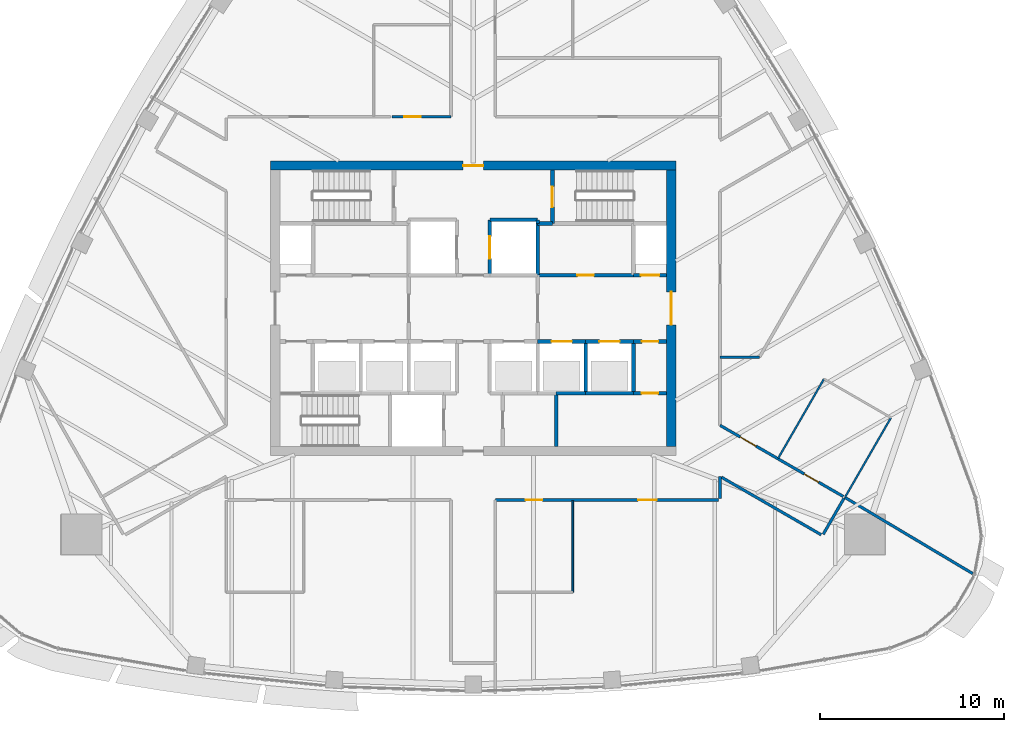
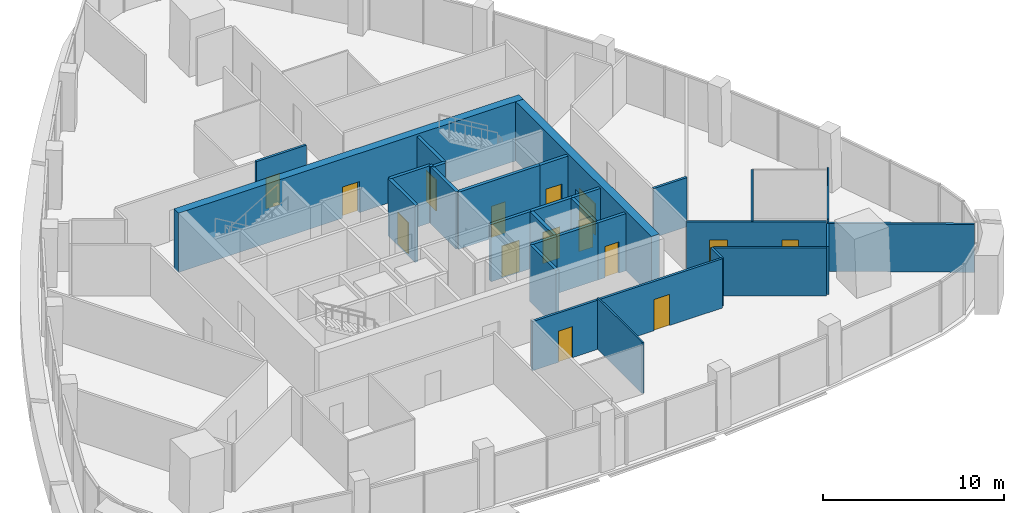
# One storey, part 10 of 15: 30 walls, 15 doors, 15 openings.
"""IFC4 building model written with IfcOpenShell, lengths in metres."""

from ifc_helpers import new_model, si_unit, direction, frame, frame_2d, origin, place, context, subcontext, project, spatial, rectangle, extrude, material, layer, layer_set, type_object, element, fill, save


model = new_model("IFC4")

# Units and contexts
model_context = context("Model", 3, precision=1e-05, world=origin(), true_north=direction((0.0, 1.0)))
body_context = subcontext(model_context, "Body", "Model", "MODEL_VIEW")
ifc_project = project(units=[si_unit("LENGTHUNIT", "METRE"), si_unit("AREAUNIT", "SQUARE_METRE"), si_unit("VOLUMEUNIT", "CUBIC_METRE"), si_unit("PLANEANGLEUNIT", "RADIAN"), si_unit("MASSUNIT", "GRAM", prefix="KILO")], contexts=[model_context])

# Site, building, storey
site_placement = place(None, origin())
site = spatial("IfcSite", under=ifc_project, at=site_placement, CompositionType="ELEMENT")
building_placement = place(site_placement, origin())
building = spatial("IfcBuilding", under=site, at=building_placement, Name="Sierra Prisma Convention Tower", CompositionType="ELEMENT")
storey_placement = place(building_placement, frame((0.0, 0.0, 267.0)))
storey = spatial("IfcBuildingStorey", under=building, at=storey_placement, Name="L60", CompositionType="ELEMENT", Elevation=267.0)

# Walls
ifc_material_1 = material(Name="Gypsum board partition", Category="gypsum")
ifc_layer_1 = layer(ifc_material_1, 0.10009765625)
ifc_layer_set_1 = layer_set([ifc_layer_1], Name="Bathroom partition 100")
wall_type_1 = type_object("IfcWallType", Name="Bathroom partition 100", PredefinedType="PARTITIONING", material=ifc_layer_set_1)
wall_1_placement = place(storey_placement, frame((5.39990234375, -10.429931640625, 0.0), z_axis=(0.0, 0.0, 1.0), x_axis=(0.0, -1.0, 0.0)))
element("IfcWall", 1, at=wall_1_placement, inside=storey, type_object=wall_type_1, Name="Partition L60 bath 6", PredefinedType="PARTITIONING", context=body_context, shape_type="SweptSolid", body=[
    extrude(rectangle(XDim=4.969970703125, YDim=0.10009765625, at=frame_2d((2.48486328125, 0.0))), origin(), (0.0, 0.0, 1.0), 3.449951171875),
])
wall_2_placement = place(storey_placement, frame((16.552001953125, -8.135986328125, 0.0), z_axis=(0.0, 0.0, 1.0), x_axis=(0.500011595943, 0.86601870876, 0.0)))
element("IfcWall", 2, at=wall_2_placement, inside=storey, type_object=wall_type_1, Name="Partition L60 bath 10", PredefinedType="PARTITIONING", context=body_context, shape_type="SweptSolid", body=[
    extrude(rectangle(XDim=4.97021484375, YDim=0.10009765625, at=frame_2d((2.485107421875, 0.0))), origin(), (0.0, 0.0, 1.0), 3.31689453125),
])
wall_3_placement = place(storey_placement, frame((22.67431640625, -5.931884765625, 0.0), z_axis=(0.0, 0.0, 1.0), x_axis=(-0.499974753747, -0.866039979225, 0.0)))
element("IfcWall", 3, at=wall_3_placement, inside=storey, type_object=wall_type_1, Name="Partition L60 bath 12", PredefinedType="PARTITIONING", context=body_context, shape_type="SweptSolid", body=[
    extrude(rectangle(XDim=4.969970703125, YDim=0.10009765625, at=frame_2d((2.48486328125, 0.0))), origin(), (0.0, 0.0, 1.0), 3.449951171875),
])
ifc_material_2 = material(Name="Concrete C30/37", Category="concrete")
ifc_layer_2 = layer(ifc_material_2, 0.199951171875)
ifc_layer_set_2 = layer_set([ifc_layer_2], Name="Core wall RC 200 C30/37")
wall_type_2 = type_object("IfcWallType", Name="Core wall RC 200 C30/37", PredefinedType="SOLIDWALL", material=ifc_layer_set_2)
wall_4_placement = place(storey_placement, frame((3.5, 4.60009765625, 0.0), z_axis=(0.0, 0.0, 1.0), x_axis=(0.0, 1.0, 0.0)))
element("IfcWall", 4, at=wall_4_placement, inside=storey, type_object=wall_type_2, Name="Core wall L60 36", PredefinedType="SOLIDWALL", context=body_context, shape_type="SweptSolid", body=[
    extrude(rectangle(XDim=0.199951171875, YDim=0.199951171875, at=frame_2d((0.10009765625, 0.0))), origin(), (0.0, 0.0, 1.0), 3.85009765625),
])
wall_5_placement = place(storey_placement, frame((3.5, 4.800048828125, 0.0), z_axis=(0.0, 0.0, 1.0), x_axis=(-1.0, 0.0, 0.0)))
element("IfcWall", 5, at=wall_5_placement, inside=storey, type_object=wall_type_2, Name="Core wall L60 37", PredefinedType="SOLIDWALL", context=body_context, shape_type="SweptSolid", body=[
    extrude(rectangle(XDim=2.60009765625, YDim=0.199951171875, at=frame_2d((1.300048828125, 0.0))), origin(), (0.0, 0.0, 1.0), 3.85009765625),
])

# Wall, opening, door
wall_6_placement = place(storey_placement, frame((0.89990234375, 4.800048828125, 0.0), z_axis=(0.0, 0.0, 1.0), x_axis=(0.0, -1.0, 0.0)))
wall_6 = element("IfcWall", 6, at=wall_6_placement, inside=storey, type_object=wall_type_2, Name="Core wall L60 38", PredefinedType="SOLIDWALL", context=body_context, shape_type="SweptSolid", body=[
    extrude(rectangle(XDim=3.0, YDim=0.199951171875, at=frame_2d((1.5, 0.0))), origin(), (0.0, 0.0, 1.0), 3.85009765625),
])
opening_1_placement = place(wall_6_placement, frame((0.89990234375, 0.0, 0.0)))
opening_1 = element("IfcOpeningElement", 7, at=opening_1_placement, cuts=wall_6, Name="Opening L60-D008", PredefinedType="OPENING", context=body_context, shape_type="SweptSolid", body=[
    extrude(rectangle(XDim=1.199951171875, YDim=2.10009765625, at=frame_2d((0.60009765625, 1.050048828125))), frame((0.0, 0.10009765625, 0.0), z_axis=(0.0, -1.0, 0.0), x_axis=(1.0, 0.0, 0.0)), (0.0, 0.0, 1.0), 0.199951171875),
])
ifc_material_3 = material(Name="Steel fire door leaf", Category="steel")
door_type_1 = type_object("IfcDoorType", Name="Door 1200x2100 EI 90 sliding lift landing", OperationType="SLIDING_TO_LEFT", PredefinedType="DOOR", material=ifc_material_3)
door_1_placement = place(opening_1_placement, origin())
door_1 = element("IfcDoor", 8, at=door_1_placement, inside=storey, type_object=door_type_1, Name="Door L60 22", OperationType="SLIDING_TO_LEFT", OverallHeight=2.10009765625, OverallWidth=1.199951171875, PredefinedType="DOOR", context=body_context, shape_type="SweptSolid", body=[
    extrude(rectangle(XDim=1.199951171875, YDim=2.10009765625, at=frame_2d((0.60009765625, 1.050048828125))), frame((0.0, 0.02490234375, 0.0), z_axis=(0.0, -1.0, 0.0), x_axis=(1.0, 0.0, 0.0)), (0.0, 0.0, 1.0), 0.050048828125),
])
fill(opening_1, door_1)

wall_7_placement = place(storey_placement, frame((3.5, -1.800048828125, 0.0), z_axis=(0.0, 0.0, 1.0), x_axis=(1.0, 0.0, 0.0)))
wall_7 = element("IfcWall", 9, at=wall_7_placement, inside=storey, type_object=wall_type_2, Name="Core wall L60 43", PredefinedType="SOLIDWALL", context=body_context, shape_type="SweptSolid", body=[
    extrude(rectangle(XDim=2.60009765625, YDim=0.199951171875, at=frame_2d((1.300048828125, 0.0))), origin(), (0.0, 0.0, 1.0), 3.85009765625),
])
opening_2_placement = place(wall_7_placement, frame((0.75, 0.0, 0.0)))
opening_2 = element("IfcOpeningElement", 10, at=opening_2_placement, cuts=wall_7, Name="Opening L60-D005", PredefinedType="OPENING", context=body_context, shape_type="SweptSolid", body=[
    extrude(rectangle(XDim=1.10009765625, YDim=2.10009765625, at=frame_2d((0.550048828125, 1.050048828125))), frame((0.0, 0.10009765625, 0.0), z_axis=(0.0, -1.0, 0.0), x_axis=(1.0, 0.0, 0.0)), (0.0, 0.0, 1.0), 0.199951171875),
])
ifc_material_4 = material(Name="Steel fire door leaf", Category="steel")
door_type_2 = type_object("IfcDoorType", Name="Door 1100x2100 EI 90 sliding lift landing", OperationType="SLIDING_TO_LEFT", PredefinedType="DOOR", material=ifc_material_4)
door_2_placement = place(opening_2_placement, origin())
door_2 = element("IfcDoor", 11, at=door_2_placement, inside=storey, type_object=door_type_2, Name="Door L60 19", OperationType="SLIDING_TO_LEFT", OverallHeight=2.10009765625, OverallWidth=1.10009765625, PredefinedType="DOOR", context=body_context, shape_type="SweptSolid", body=[
    extrude(rectangle(XDim=1.10009765625, YDim=2.10009765625, at=frame_2d((0.550048828125, 1.050048828125))), frame((0.0, 0.02490234375, 0.0), z_axis=(0.0, -1.0, 0.0), x_axis=(1.0, 0.0, 0.0)), (0.0, 0.0, 1.0), 0.050048828125),
])
fill(opening_2, door_2)

wall_8_placement = place(storey_placement, frame((3.5, 1.800048828125, 0.0), z_axis=(0.0, 0.0, 1.0), x_axis=(1.0, 0.0, 0.0)))
wall_8 = element("IfcWall", 12, at=wall_8_placement, inside=storey, type_object=wall_type_2, Name="Core wall L60 45", PredefinedType="SOLIDWALL", context=body_context, shape_type="SweptSolid", body=[
    extrude(rectangle(XDim=5.199951171875, YDim=0.199951171875, at=frame_2d((2.60009765625, 0.0))), origin(), (0.0, 0.0, 1.0), 3.85009765625),
])
opening_3_placement = place(wall_8_placement, frame((2.14990234375, 0.0, 0.0)))
opening_3 = element("IfcOpeningElement", 13, at=opening_3_placement, cuts=wall_8, Name="Opening L60-D020", PredefinedType="OPENING", context=body_context, shape_type="SweptSolid", body=[
    extrude(rectangle(XDim=0.89990234375, YDim=2.10009765625, at=frame_2d((0.449951171875, 1.050048828125))), frame((0.0, 0.10009765625, 0.0), z_axis=(0.0, -1.0, 0.0), x_axis=(1.0, 0.0, 0.0)), (0.0, 0.0, 1.0), 0.199951171875),
])
ifc_material_5 = material(Name="Steel fire door leaf", Category="steel")
door_type_3 = type_object("IfcDoorType", Name="Door 900x2100 FD30S", OperationType="SINGLE_SWING_LEFT", PredefinedType="DOOR", material=ifc_material_5)
door_3_placement = place(opening_3_placement, origin())
door_3 = element("IfcDoor", 14, at=door_3_placement, inside=storey, type_object=door_type_3, Name="Door L60 34", OperationType="SINGLE_SWING_LEFT", OverallHeight=2.10009765625, OverallWidth=0.89990234375, PredefinedType="DOOR", context=body_context, shape_type="SweptSolid", body=[
    extrude(rectangle(XDim=0.89990234375, YDim=2.10009765625, at=frame_2d((0.449951171875, 1.050048828125))), frame((0.0, 0.02490234375, 0.0), z_axis=(0.0, -1.0, 0.0), x_axis=(1.0, 0.0, 0.0)), (0.0, 0.0, 1.0), 0.050048828125),
])
fill(opening_3, door_3)

# Walls
wall_9_placement = place(storey_placement, frame((3.5, 4.60009765625, 0.0), z_axis=(0.0, 0.0, 1.0), x_axis=(0.0, -1.0, 0.0)))
element("IfcWall", 15, at=wall_9_placement, inside=storey, type_object=wall_type_2, Name="Core wall L60 46", PredefinedType="SOLIDWALL", context=body_context, shape_type="SweptSolid", body=[
    extrude(rectangle(XDim=2.800048828125, YDim=0.199951171875, at=frame_2d((1.39990234375, 0.0))), origin(), (0.0, 0.0, 1.0), 3.85009765625),
])
wall_10_placement = place(storey_placement, frame((4.300048828125, 4.60009765625, 0.0), z_axis=(0.0, 0.0, 1.0), x_axis=(-1.0, 0.0, 0.0)))
element("IfcWall", 16, at=wall_10_placement, inside=storey, type_object=wall_type_2, Name="Core wall L60 47", PredefinedType="SOLIDWALL", context=body_context, shape_type="SweptSolid", body=[
    extrude(rectangle(XDim=0.800048828125, YDim=0.199951171875, at=frame_2d((0.39990234375, 0.0))), origin(), (0.0, 0.0, 1.0), 3.85009765625),
])

# Wall, opening, door
wall_11_placement = place(storey_placement, frame((4.300048828125, 7.5, 0.0), z_axis=(0.0, 0.0, 1.0), x_axis=(0.0, -1.0, 0.0)))
wall_11 = element("IfcWall", 17, at=wall_11_placement, inside=storey, type_object=wall_type_2, Name="Core wall L60 49", PredefinedType="SOLIDWALL", context=body_context, shape_type="SweptSolid", body=[
    extrude(rectangle(XDim=2.89990234375, YDim=0.199951171875, at=frame_2d((1.449951171875, 0.0))), origin(), (0.0, 0.0, 1.0), 3.85009765625),
])
opening_4_placement = place(wall_11_placement, frame((0.89990234375, 0.0, 0.0)))
opening_4 = element("IfcOpeningElement", 18, at=opening_4_placement, cuts=wall_11, Name="Opening L60-D019", PredefinedType="OPENING", context=body_context, shape_type="SweptSolid", body=[
    extrude(rectangle(XDim=1.10009765625, YDim=2.10009765625, at=frame_2d((0.550048828125, 1.050048828125))), frame((0.0, 0.10009765625, 0.0), z_axis=(0.0, -1.0, 0.0), x_axis=(1.0, 0.0, 0.0)), (0.0, 0.0, 1.0), 0.199951171875),
])
ifc_material_6 = material(Name="Steel fire door leaf", Category="steel")
door_type_4 = type_object("IfcDoorType", Name="Door 1100x2100 FD90S", OperationType="SINGLE_SWING_LEFT", PredefinedType="DOOR", material=ifc_material_6)
door_4_placement = place(opening_4_placement, origin())
door_4 = element("IfcDoor", 19, at=door_4_placement, inside=storey, type_object=door_type_4, Name="Door L60 33", OperationType="SINGLE_SWING_RIGHT", OverallHeight=2.10009765625, OverallWidth=1.10009765625, PredefinedType="DOOR", context=body_context, shape_type="SweptSolid", body=[
    extrude(rectangle(XDim=1.10009765625, YDim=2.10009765625, at=frame_2d((0.550048828125, 1.050048828125))), frame((0.0, 0.02490234375, 0.0), z_axis=(0.0, -1.0, 0.0), x_axis=(1.0, 0.0, 0.0)), (0.0, 0.0, 1.0), 0.050048828125),
])
fill(opening_4, door_4)

# Walls
wall_12_placement = place(storey_placement, frame((4.5, -4.60009765625, 0.0), z_axis=(0.0, 0.0, 1.0), x_axis=(0.0, -1.0, 0.0)))
element("IfcWall", 20, at=wall_12_placement, inside=storey, type_object=wall_type_2, Name="Core wall L60 50", PredefinedType="SOLIDWALL", context=body_context, shape_type="SweptSolid", body=[
    extrude(rectangle(XDim=2.89990234375, YDim=0.199951171875, at=frame_2d((1.449951171875, 0.0))), origin(), (0.0, 0.0, 1.0), 3.85009765625),
])
wall_13_placement = place(storey_placement, frame((6.10009765625, -4.60009765625, 0.0), z_axis=(0.0, 0.0, 1.0), x_axis=(-1.0, 0.0, 0.0)))
element("IfcWall", 21, at=wall_13_placement, inside=storey, type_object=wall_type_2, Name="Core wall L60 51", PredefinedType="SOLIDWALL", context=body_context, shape_type="SweptSolid", body=[
    extrude(rectangle(XDim=1.60009765625, YDim=0.199951171875, at=frame_2d((0.800048828125, 0.0))), origin(), (0.0, 0.0, 1.0), 3.85009765625),
])
wall_14_placement = place(storey_placement, frame((8.699951171875, -4.60009765625, 0.0), z_axis=(0.0, 0.0, 1.0), x_axis=(-1.0, 0.0, 0.0)))
element("IfcWall", 22, at=wall_14_placement, inside=storey, type_object=wall_type_2, Name="Core wall L60 52", PredefinedType="SOLIDWALL", context=body_context, shape_type="SweptSolid", body=[
    extrude(rectangle(XDim=2.599853515625, YDim=0.199951171875, at=frame_2d((1.2998046875, 0.0))), origin(), (0.0, 0.0, 1.0), 3.85009765625),
])
wall_15_placement = place(storey_placement, frame((6.10009765625, -4.60009765625, 0.0), z_axis=(0.0, 0.0, 1.0), x_axis=(0.0, 1.0, 0.0)))
element("IfcWall", 23, at=wall_15_placement, inside=storey, type_object=wall_type_2, Name="Core wall L60 53", PredefinedType="SOLIDWALL", context=body_context, shape_type="SweptSolid", body=[
    extrude(rectangle(XDim=2.800048828125, YDim=0.199951171875, at=frame_2d((1.39990234375, 0.0))), origin(), (0.0, 0.0, 1.0), 3.85009765625),
])

# Wall, opening, door
wall_16_placement = place(storey_placement, frame((6.10009765625, -1.800048828125, 0.0), z_axis=(0.0, 0.0, 1.0), x_axis=(1.0, 0.0, 0.0)))
wall_16 = element("IfcWall", 24, at=wall_16_placement, inside=storey, type_object=wall_type_2, Name="Core wall L60 54", PredefinedType="SOLIDWALL", context=body_context, shape_type="SweptSolid", body=[
    extrude(rectangle(XDim=2.599853515625, YDim=0.199951171875, at=frame_2d((1.2998046875, 0.0))), origin(), (0.0, 0.0, 1.0), 3.85009765625),
])
opening_5_placement = place(wall_16_placement, frame((0.75, 0.0, 0.0)))
opening_5 = element("IfcOpeningElement", 25, at=opening_5_placement, cuts=wall_16, Name="Opening L60-D006", PredefinedType="OPENING", context=body_context, shape_type="SweptSolid", body=[
    extrude(rectangle(XDim=1.10009765625, YDim=2.10009765625, at=frame_2d((0.550048828125, 1.050048828125))), frame((0.0, 0.10009765625, 0.0), z_axis=(0.0, -1.0, 0.0), x_axis=(1.0, 0.0, 0.0)), (0.0, 0.0, 1.0), 0.199951171875),
])
door_5_placement = place(opening_5_placement, origin())
door_5 = element("IfcDoor", 26, at=door_5_placement, inside=storey, type_object=door_type_2, Name="Door L60 20", OperationType="SLIDING_TO_RIGHT", OverallHeight=2.10009765625, OverallWidth=1.10009765625, PredefinedType="DOOR", context=body_context, shape_type="SweptSolid", body=[
    extrude(rectangle(XDim=1.10009765625, YDim=2.10009765625, at=frame_2d((0.550048828125, 1.050048828125))), frame((0.0, 0.02490234375, 0.0), z_axis=(0.0, -1.0, 0.0), x_axis=(1.0, 0.0, 0.0)), (0.0, 0.0, 1.0), 0.050048828125),
])
fill(opening_5, door_5)

wall_17_placement = place(storey_placement, frame((10.5, -4.60009765625, 0.0), z_axis=(0.0, 0.0, 1.0), x_axis=(-1.0, 0.0, 0.0)))
wall_17 = element("IfcWall", 27, at=wall_17_placement, inside=storey, type_object=wall_type_2, Name="Core wall L60 55", PredefinedType="SOLIDWALL", context=body_context, shape_type="SweptSolid", body=[
    extrude(rectangle(XDim=1.800048828125, YDim=0.199951171875, at=frame_2d((0.89990234375, 0.0))), origin(), (0.0, 0.0, 1.0), 3.85009765625),
])
opening_6_placement = place(wall_17_placement, frame((0.4599609375, 0.0, 0.0)))
opening_6 = element("IfcOpeningElement", 28, at=opening_6_placement, cuts=wall_17, Name="Opening L60-D022", PredefinedType="OPENING", context=body_context, shape_type="SweptSolid", body=[
    extrude(rectangle(XDim=0.89990234375, YDim=2.10009765625, at=frame_2d((0.449951171875, 1.050048828125))), frame((0.0, 0.10009765625, 0.0), z_axis=(0.0, -1.0, 0.0), x_axis=(1.0, 0.0, 0.0)), (0.0, 0.0, 1.0), 0.199951171875),
])
door_6_placement = place(opening_6_placement, origin())
door_6 = element("IfcDoor", 29, at=door_6_placement, inside=storey, type_object=door_type_3, Name="Door L60 36", OperationType="SINGLE_SWING_RIGHT", OverallHeight=2.10009765625, OverallWidth=0.89990234375, PredefinedType="DOOR", context=body_context, shape_type="SweptSolid", body=[
    extrude(rectangle(XDim=0.89990234375, YDim=2.10009765625, at=frame_2d((0.449951171875, 1.050048828125))), frame((0.0, 0.02490234375, 0.0), z_axis=(0.0, -1.0, 0.0), x_axis=(1.0, 0.0, 0.0)), (0.0, 0.0, 1.0), 0.050048828125),
])
fill(opening_6, door_6)

# Wall
wall_18_placement = place(storey_placement, frame((8.699951171875, -1.800048828125, 0.0), z_axis=(0.0, 0.0, 1.0), x_axis=(0.0, -1.0, 0.0)))
element("IfcWall", 30, at=wall_18_placement, inside=storey, type_object=wall_type_2, Name="Core wall L60 56", PredefinedType="SOLIDWALL", context=body_context, shape_type="SweptSolid", body=[
    extrude(rectangle(XDim=2.800048828125, YDim=0.199951171875, at=frame_2d((1.39990234375, 0.0))), origin(), (0.0, 0.0, 1.0), 3.85009765625),
])

# Wall, opening, door
wall_19_placement = place(storey_placement, frame((8.699951171875, -1.800048828125, 0.0), z_axis=(0.0, 0.0, 1.0), x_axis=(1.0, 0.0, 0.0)))
wall_19 = element("IfcWall", 31, at=wall_19_placement, inside=storey, type_object=wall_type_2, Name="Core wall L60 57", PredefinedType="SOLIDWALL", context=body_context, shape_type="SweptSolid", body=[
    extrude(rectangle(XDim=1.800048828125, YDim=0.199951171875, at=frame_2d((0.89990234375, 0.0))), origin(), (0.0, 0.0, 1.0), 3.85009765625),
])
opening_7_placement = place(wall_19_placement, frame((0.449951171875, 0.0, 0.0)))
opening_7 = element("IfcOpeningElement", 32, at=opening_7_placement, cuts=wall_19, Name="Opening L60-D023", PredefinedType="OPENING", context=body_context, shape_type="SweptSolid", body=[
    extrude(rectangle(XDim=0.89990234375, YDim=2.10009765625, at=frame_2d((0.449951171875, 1.050048828125))), frame((0.0, 0.10009765625, 0.0), z_axis=(0.0, -1.0, 0.0), x_axis=(1.0, 0.0, 0.0)), (0.0, 0.0, 1.0), 0.199951171875),
])
door_7_placement = place(opening_7_placement, origin())
door_7 = element("IfcDoor", 33, at=door_7_placement, inside=storey, type_object=door_type_3, Name="Door L60 37", OperationType="SINGLE_SWING_LEFT", OverallHeight=2.10009765625, OverallWidth=0.89990234375, PredefinedType="DOOR", context=body_context, shape_type="SweptSolid", body=[
    extrude(rectangle(XDim=0.89990234375, YDim=2.10009765625, at=frame_2d((0.449951171875, 1.050048828125))), frame((0.0, 0.02490234375, 0.0), z_axis=(0.0, -1.0, 0.0), x_axis=(1.0, 0.0, 0.0)), (0.0, 0.0, 1.0), 0.050048828125),
])
fill(opening_7, door_7)

wall_20_placement = place(storey_placement, frame((10.5, 1.800048828125, 0.0), z_axis=(0.0, 0.0, 1.0), x_axis=(-1.0, 0.0, 0.0)))
wall_20 = element("IfcWall", 34, at=wall_20_placement, inside=storey, type_object=wall_type_2, Name="Core wall L60 58", PredefinedType="SOLIDWALL", context=body_context, shape_type="SweptSolid", body=[
    extrude(rectangle(XDim=1.800048828125, YDim=0.199951171875, at=frame_2d((0.89990234375, 0.0))), origin(), (0.0, 0.0, 1.0), 3.85009765625),
])
opening_8_placement = place(wall_20_placement, frame((0.39990234375, 0.0, 0.0)))
opening_8 = element("IfcOpeningElement", 35, at=opening_8_placement, cuts=wall_20, Name="Opening L60-D016", PredefinedType="OPENING", context=body_context, shape_type="SweptSolid", body=[
    extrude(rectangle(XDim=1.0, YDim=2.10009765625, at=frame_2d((0.5, 1.050048828125))), frame((0.0, 0.10009765625, 0.0), z_axis=(0.0, -1.0, 0.0), x_axis=(1.0, 0.0, 0.0)), (0.0, 0.0, 1.0), 0.199951171875),
])
ifc_material_7 = material(Name="Steel fire door leaf", Category="steel")
door_type_5 = type_object("IfcDoorType", Name="Door 1000x2100 FD60S", OperationType="SINGLE_SWING_LEFT", PredefinedType="DOOR", material=ifc_material_7)
door_8_placement = place(opening_8_placement, origin())
door_8 = element("IfcDoor", 36, at=door_8_placement, inside=storey, type_object=door_type_5, Name="Door L60 30", OperationType="SINGLE_SWING_RIGHT", OverallHeight=2.10009765625, OverallWidth=1.0, PredefinedType="DOOR", context=body_context, shape_type="SweptSolid", body=[
    extrude(rectangle(XDim=1.0, YDim=2.10009765625, at=frame_2d((0.5, 1.050048828125))), frame((0.0, 0.02490234375, 0.0), z_axis=(0.0, -1.0, 0.0), x_axis=(1.0, 0.0, 0.0)), (0.0, 0.0, 1.0), 0.050048828125),
])
fill(opening_8, door_8)

ifc_material_8 = material(Name="Concrete C50/60", Category="concrete")
ifc_layer_3 = layer(ifc_material_8, 0.5)
ifc_layer_set_3 = layer_set([ifc_layer_3], Name="Core wall RC 500 C50/60")
wall_type_3 = type_object("IfcWallType", Name="Core wall RC 500 C50/60", PredefinedType="SHEAR", material=ifc_layer_set_3)
wall_21_placement = place(storey_placement, frame((-11.0, 7.75, 0.0), z_axis=(0.0, 0.0, 1.0), x_axis=(1.0, 0.0, 0.0)))
wall_21 = element("IfcWall", 37, at=wall_21_placement, inside=storey, type_object=wall_type_3, Name="Core wall N L60", PredefinedType="SHEAR", context=body_context, shape_type="SweptSolid", body=[
    extrude(rectangle(XDim=22.0, YDim=0.5, at=frame_2d((11.0, 0.0))), origin(), (0.0, 0.0, 1.0), 4.0),
])
opening_9_placement = place(wall_21_placement, frame((10.449951171875, 0.0, 0.0)))
opening_9 = element("IfcOpeningElement", 38, at=opening_9_placement, cuts=wall_21, Name="Opening L60-D040", PredefinedType="OPENING", context=body_context, shape_type="SweptSolid", body=[
    extrude(rectangle(XDim=1.10009765625, YDim=2.10009765625, at=frame_2d((0.550048828125, 1.050048828125))), frame((0.0, 0.25, 0.0), z_axis=(0.0, -1.0, 0.0), x_axis=(1.0, 0.0, 0.0)), (0.0, 0.0, 1.0), 0.5),
])
ifc_material_9 = material(Name="Steel fire door leaf", Category="steel")
door_type_6 = type_object("IfcDoorType", Name="Door 1100x2100 FD60S", OperationType="SINGLE_SWING_LEFT", PredefinedType="DOOR", material=ifc_material_9)
door_9_placement = place(opening_9_placement, origin())
door_9 = element("IfcDoor", 39, at=door_9_placement, inside=storey, type_object=door_type_6, Name="Door L60 41", OperationType="SINGLE_SWING_LEFT", OverallHeight=2.10009765625, OverallWidth=1.10009765625, PredefinedType="DOOR", context=body_context, shape_type="SweptSolid", body=[
    extrude(rectangle(XDim=1.10009765625, YDim=2.10009765625, at=frame_2d((0.550048828125, 1.050048828125))), frame((0.0, 0.02490234375, 0.0), z_axis=(0.0, -1.0, 0.0), x_axis=(1.0, 0.0, 0.0)), (0.0, 0.0, 1.0), 0.050048828125),
])
fill(opening_9, door_9)

wall_22_placement = place(storey_placement, frame((10.75, -7.5, 0.0), z_axis=(0.0, 0.0, 1.0), x_axis=(0.0, 1.0, 0.0)))
wall_22 = element("IfcWall", 40, at=wall_22_placement, inside=storey, type_object=wall_type_3, Name="Core wall E L60", PredefinedType="SHEAR", context=body_context, shape_type="SweptSolid", body=[
    extrude(rectangle(XDim=15.0, YDim=0.5, at=frame_2d((7.5, 0.0))), origin(), (0.0, 0.0, 1.0), 4.0),
])
opening_10_placement = place(wall_22_placement, frame((6.60009765625, 0.0, 0.0)))
opening_10 = element("IfcOpeningElement", 41, at=opening_10_placement, cuts=wall_22, Name="Opening L60-D039", PredefinedType="OPENING", context=body_context, shape_type="SweptSolid", body=[
    extrude(rectangle(XDim=1.800048828125, YDim=2.10009765625, at=frame_2d((0.89990234375, 1.050048828125))), frame((0.0, 0.25, 0.0), z_axis=(0.0, -1.0, 0.0), x_axis=(1.0, 0.0, 0.0)), (0.0, 0.0, 1.0), 0.5),
])
ifc_material_10 = material(Name="Steel fire door leaf", Category="steel")
door_type_7 = type_object("IfcDoorType", Name="Door 1800x2100 FD60S", OperationType="DOUBLE_DOOR_SINGLE_SWING", PredefinedType="DOOR", material=ifc_material_10)
door_10_placement = place(opening_10_placement, origin())
door_10 = element("IfcDoor", 42, at=door_10_placement, inside=storey, type_object=door_type_7, Name="Door L60 40", OperationType="DOUBLE_DOOR_SINGLE_SWING", OverallHeight=2.10009765625, OverallWidth=1.800048828125, PredefinedType="DOOR", context=body_context, shape_type="SweptSolid", body=[
    extrude(rectangle(XDim=1.800048828125, YDim=2.10009765625, at=frame_2d((0.89990234375, 1.050048828125))), frame((0.0, 0.02490234375, 0.0), z_axis=(0.0, -1.0, 0.0), x_axis=(1.0, 0.0, 0.0)), (0.0, 0.0, 1.0), 0.050048828125),
])
fill(opening_10, door_10)

ifc_material_11 = material(Name="Gypsum board partition", Category="gypsum")
ifc_layer_4 = layer(ifc_material_11, 0.14990234375)
ifc_layer_set_4 = layer_set([ifc_layer_4], Name="Corridor wall 150 gypsum EI 60")
wall_type_4 = type_object("IfcWallType", Name="Corridor wall 150 gypsum EI 60", PredefinedType="PARTITIONING", material=ifc_layer_set_4)
wall_23_placement = place(storey_placement, frame((-1.199951171875, 10.39990234375, 0.0), z_axis=(0.0, 0.0, 1.0), x_axis=(-1.0, 0.0, 0.0)))
wall_23 = element("IfcWall", 43, at=wall_23_placement, inside=storey, type_object=wall_type_4, Name="Partition L60 corr 14", PredefinedType="PARTITIONING", context=body_context, shape_type="SweptSolid", body=[
    extrude(rectangle(XDim=3.199951171875, YDim=0.14990234375, at=frame_2d((1.60009765625, 0.0))), origin(), (0.0, 0.0, 1.0), 3.449951171875),
])
opening_11_placement = place(wall_23_placement, frame((1.64990234375, 0.0, 0.0)))
opening_11 = element("IfcOpeningElement", 44, at=opening_11_placement, cuts=wall_23, Name="Opening L60-D029", PredefinedType="OPENING", context=body_context, shape_type="SweptSolid", body=[
    extrude(rectangle(XDim=0.89990234375, YDim=2.10009765625, at=frame_2d((0.449951171875, 1.050048828125))), frame((0.0, 0.074951171875, 0.0), z_axis=(0.0, -1.0, 0.0), x_axis=(1.0, 0.0, 0.0)), (0.0, 0.0, 1.0), 0.14990234375),
])
door_11_placement = place(opening_11_placement, origin())
door_11 = element("IfcDoor", 45, at=door_11_placement, inside=storey, type_object=door_type_3, Name="Door L60 5", OperationType="SINGLE_SWING_LEFT", OverallHeight=2.10009765625, OverallWidth=0.89990234375, PredefinedType="DOOR", context=body_context, shape_type="SweptSolid", body=[
    extrude(rectangle(XDim=0.89990234375, YDim=2.10009765625, at=frame_2d((0.449951171875, 1.050048828125))), frame((0.0, 0.02490234375, 0.0), z_axis=(0.0, -1.0, 0.0), x_axis=(1.0, 0.0, 0.0)), (0.0, 0.0, 1.0), 0.050048828125),
])
fill(opening_11, door_11)

# Wall, openings, doors
wall_24_placement = place(storey_placement, frame((1.199951171875, -10.39990234375, 0.0), z_axis=(0.0, 0.0, 1.0), x_axis=(1.0, 0.0, 0.0)))
wall_24 = element("IfcWall", 46, at=wall_24_placement, inside=storey, type_object=wall_type_4, Name="Partition L60 corr 18", PredefinedType="PARTITIONING", context=body_context, shape_type="SweptSolid", body=[
    extrude(rectangle(XDim=12.1201171875, YDim=0.14990234375, at=frame_2d((6.06005859375, 0.0))), origin(), (0.0, 0.0, 1.0), 3.31689453125),
])
opening_12_placement = place(wall_24_placement, frame((1.64990234375, 0.0, 0.0)))
opening_12 = element("IfcOpeningElement", 47, at=opening_12_placement, cuts=wall_24, Name="Opening L60-D035", PredefinedType="OPENING", context=body_context, shape_type="SweptSolid", body=[
    extrude(rectangle(XDim=0.89990234375, YDim=2.10009765625, at=frame_2d((0.449951171875, 1.050048828125))), frame((0.0, 0.074951171875, 0.0), z_axis=(0.0, -1.0, 0.0), x_axis=(1.0, 0.0, 0.0)), (0.0, 0.0, 1.0), 0.14990234375),
])
opening_13_placement = place(wall_24_placement, frame((7.75, 0.0, 0.0)))
opening_13 = element("IfcOpeningElement", 48, at=opening_13_placement, cuts=wall_24, Name="Opening L60-D036", PredefinedType="OPENING", context=body_context, shape_type="SweptSolid", body=[
    extrude(rectangle(XDim=1.0, YDim=2.10009765625, at=frame_2d((0.5, 1.050048828125))), frame((0.0, 0.074951171875, 0.0), z_axis=(0.0, -1.0, 0.0), x_axis=(1.0, 0.0, 0.0)), (0.0, 0.0, 1.0), 0.14990234375),
])
ifc_material_12 = material(Name="Steel fire door leaf", Category="steel")
door_type_8 = type_object("IfcDoorType", Name="Door 1000x2100 FD30S", OperationType="SINGLE_SWING_LEFT", PredefinedType="DOOR", material=ifc_material_12)
door_12_placement = place(opening_13_placement, origin())
door_12 = element("IfcDoor", 49, at=door_12_placement, inside=storey, type_object=door_type_8, Name="Door L60 12", OperationType="SINGLE_SWING_RIGHT", OverallHeight=2.10009765625, OverallWidth=1.0, PredefinedType="DOOR", context=body_context, shape_type="SweptSolid", body=[
    extrude(rectangle(XDim=1.0, YDim=2.10009765625, at=frame_2d((0.5, 1.050048828125))), frame((0.0, 0.02490234375, 0.0), z_axis=(0.0, -1.0, 0.0), x_axis=(1.0, 0.0, 0.0)), (0.0, 0.0, 1.0), 0.050048828125),
])
fill(opening_13, door_12)
door_13_placement = place(opening_12_placement, origin())
door_13 = element("IfcDoor", 50, at=door_13_placement, inside=storey, type_object=door_type_3, Name="Door L60 11", OperationType="SINGLE_SWING_RIGHT", OverallHeight=2.10009765625, OverallWidth=0.89990234375, PredefinedType="DOOR", context=body_context, shape_type="SweptSolid", body=[
    extrude(rectangle(XDim=0.89990234375, YDim=2.10009765625, at=frame_2d((0.449951171875, 1.050048828125))), frame((0.0, 0.02490234375, 0.0), z_axis=(0.0, -1.0, 0.0), x_axis=(1.0, 0.0, 0.0)), (0.0, 0.0, 1.0), 0.050048828125),
])
fill(opening_12, door_13)

# Walls
wall_25_placement = place(storey_placement, frame((13.39990234375, -10.320068359375, 0.0), z_axis=(0.0, 0.0, 1.0), x_axis=(0.0, 1.0, 0.0)))
element("IfcWall", 51, at=wall_25_placement, inside=storey, type_object=wall_type_4, Name="Partition L60 corr 21", PredefinedType="PARTITIONING", context=body_context, shape_type="SweptSolid", body=[
    extrude(rectangle(XDim=1.197998046875, YDim=0.14990234375, at=frame_2d((0.59912109375, 0.0))), origin(), (0.0, 0.0, 1.0), 3.23291015625),
])
wall_26_placement = place(storey_placement, frame((13.479248046875, -9.16796875, 0.0), z_axis=(0.0, 0.0, 1.0), x_axis=(0.866026089583, -0.49999881216, 0.0)))
element("IfcWall", 52, at=wall_26_placement, inside=storey, type_object=wall_type_4, Name="Partition L60 corr 22", PredefinedType="PARTITIONING", context=body_context, shape_type="SweptSolid", body=[
    extrude(rectangle(XDim=6.2451171875, YDim=0.14990234375, at=frame_2d((3.12255859375, 0.0))), origin(), (0.0, 0.0, 1.0), 3.23291015625),
])

# Wall, openings, doors
wall_27_placement = place(storey_placement, frame((20.087890625, -10.212158203125, 0.0), z_axis=(0.0, 0.0, 1.0), x_axis=(-0.866024490366, 0.500001582084, 0.0)))
wall_27 = element("IfcWall", 53, at=wall_27_placement, inside=storey, type_object=wall_type_4, Name="Partition L60 corr 26", PredefinedType="PARTITIONING", context=body_context, shape_type="SweptSolid", body=[
    extrude(rectangle(XDim=7.72265625, YDim=0.14990234375, at=frame_2d((3.861328125, 0.0))), origin(), (0.0, 0.0, 1.0), 3.31689453125),
])
opening_14_placement = place(wall_27_placement, frame((1.550048828125, 0.0, 0.0)))
opening_14 = element("IfcOpeningElement", 54, at=opening_14_placement, cuts=wall_27, Name="Opening L60-D037", PredefinedType="OPENING", context=body_context, shape_type="SweptSolid", body=[
    extrude(rectangle(XDim=0.89990234375, YDim=2.10009765625, at=frame_2d((0.449951171875, 1.050048828125))), frame((0.0, 0.074951171875, 0.0), z_axis=(0.0, -1.0, 0.0), x_axis=(1.0, 0.0, 0.0)), (0.0, 0.0, 1.0), 0.14990234375),
])
opening_15_placement = place(wall_27_placement, frame((5.461181640625, 0.0, 0.0)))
opening_15 = element("IfcOpeningElement", 55, at=opening_15_placement, cuts=wall_27, Name="Opening L60-D038", PredefinedType="OPENING", context=body_context, shape_type="SweptSolid", body=[
    extrude(rectangle(XDim=1.0, YDim=2.10009765625, at=frame_2d((0.5, 1.050048828125))), frame((0.0, 0.074951171875, 0.0), z_axis=(0.0, -1.0, 0.0), x_axis=(1.0, 0.0, 0.0)), (0.0, 0.0, 1.0), 0.14990234375),
])
door_14_placement = place(opening_15_placement, origin())
door_14 = element("IfcDoor", 56, at=door_14_placement, inside=storey, type_object=door_type_8, Name="Door L60 14", OperationType="SINGLE_SWING_LEFT", OverallHeight=2.10009765625, OverallWidth=1.0, PredefinedType="DOOR", context=body_context, shape_type="SweptSolid", body=[
    extrude(rectangle(XDim=1.0, YDim=2.10009765625, at=frame_2d((0.5, 1.050048828125))), frame((0.0, 0.02490234375, 0.0), z_axis=(0.0, -1.0, 0.0), x_axis=(1.0, 0.0, 0.0)), (0.0, 0.0, 1.0), 0.050048828125),
])
fill(opening_15, door_14)
door_15_placement = place(opening_14_placement, origin())
door_15 = element("IfcDoor", 57, at=door_15_placement, inside=storey, type_object=door_type_3, Name="Door L60 13", OperationType="SINGLE_SWING_LEFT", OverallHeight=2.10009765625, OverallWidth=0.89990234375, PredefinedType="DOOR", context=body_context, shape_type="SweptSolid", body=[
    extrude(rectangle(XDim=0.89990234375, YDim=2.10009765625, at=frame_2d((0.449951171875, 1.050048828125))), frame((0.0, 0.02490234375, 0.0), z_axis=(0.0, -1.0, 0.0), x_axis=(1.0, 0.0, 0.0)), (0.0, 0.0, 1.0), 0.050048828125),
])
fill(opening_14, door_15)

# Walls
wall_28_placement = place(storey_placement, frame((18.9970703125, -12.26123046875, 0.0), z_axis=(0.0, 0.0, 1.0), x_axis=(0.500030632641, 0.866007717299, 0.0)))
element("IfcWall", 58, at=wall_28_placement, inside=storey, type_object=wall_type_4, Name="Partition L60 corr 29", PredefinedType="PARTITIONING", context=body_context, shape_type="SweptSolid", body=[
    extrude(rectangle(XDim=2.239990234375, YDim=0.14990234375, at=frame_2d((1.1201171875, 0.0))), origin(), (0.0, 0.0, 1.0), 3.23291015625),
])
ifc_material_13 = material(Name="Gypsum board partition", Category="gypsum")
ifc_layer_5 = layer(ifc_material_13, 0.14990234375)
ifc_layer_set_5 = layer_set([ifc_layer_5], Name="Party wall 150 gypsum")
wall_type_5 = type_object("IfcWallType", Name="Party wall 150 gypsum", PredefinedType="PARTITIONING", material=ifc_layer_set_5)
wall_29_placement = place(storey_placement, frame((15.537109375, -2.649169921875, 0.0), z_axis=(0.0, 0.0, 1.0), x_axis=(-1.0, 0.0, 0.0)))
element("IfcWall", 59, at=wall_29_placement, inside=storey, type_object=wall_type_5, Name="Partition L60 party 9", PredefinedType="PARTITIONING", context=body_context, shape_type="SweptSolid", body=[
    extrude(rectangle(XDim=2.13720703125, YDim=0.14990234375, at=frame_2d((1.068603515625, 0.0))), origin(), (0.0, 0.0, 1.0), 3.31689453125),
])
wall_30_placement = place(storey_placement, frame((20.156982421875, -10.252197265625, 0.0), z_axis=(0.0, 0.0, 1.0), x_axis=(0.858979887648, -0.512009328641, 0.0)))
element("IfcWall", 60, at=wall_30_placement, inside=storey, type_object=wall_type_5, Name="Partition L60 party 11", PredefinedType="PARTITIONING", context=body_context, shape_type="SweptSolid", body=[
    extrude(rectangle(XDim=8.09326171875, YDim=0.14990234375, at=frame_2d((4.046630859375, 0.0))), origin(), (0.0, 0.0, 1.0), 3.23388671875),
])

save(model, "model.ifc")
